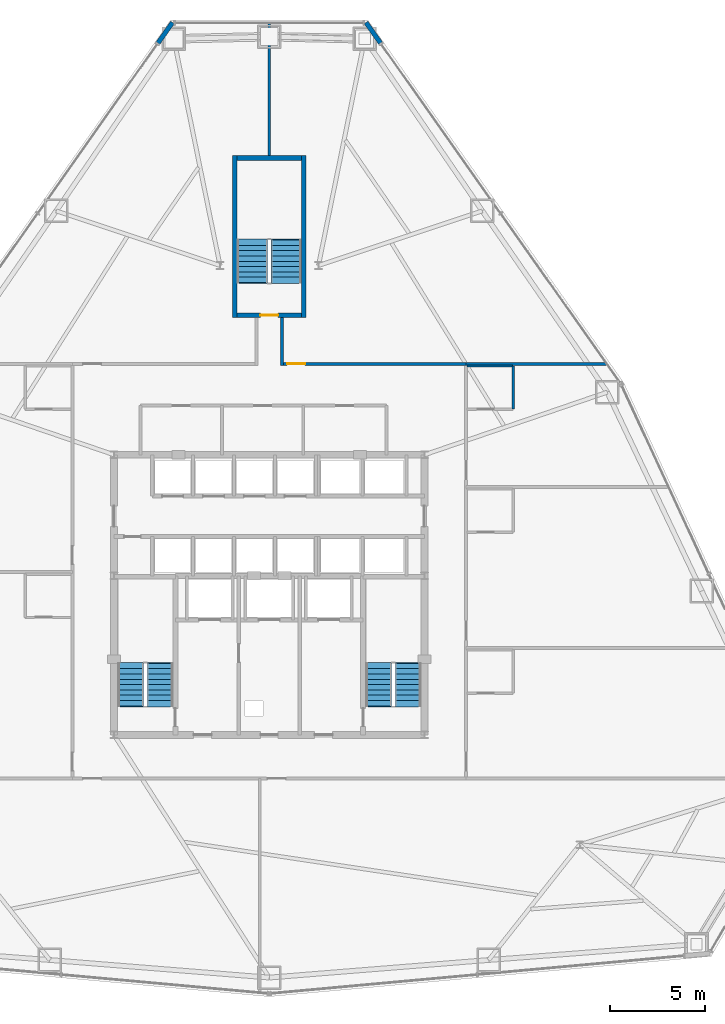
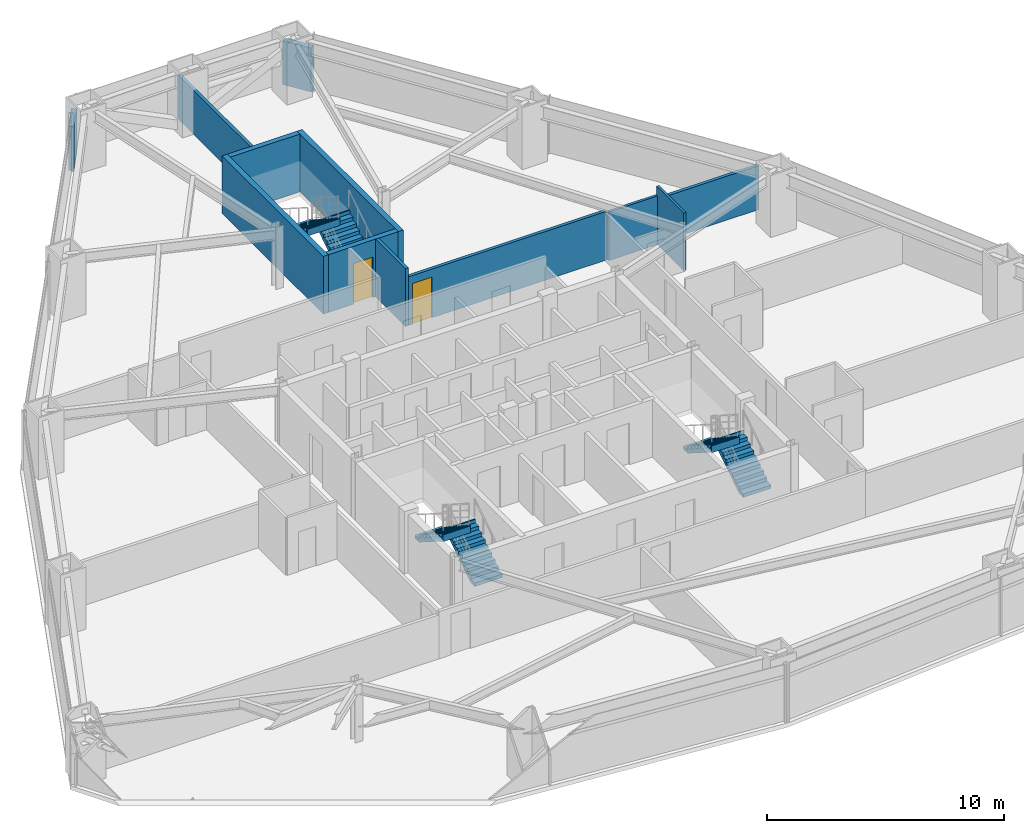
# One storey, part 11 of 12: 12 walls, 6 stair flights, 2 doors, 2 openings, 3 elements without a shape of their own.
"""IFC4 building model written with IfcOpenShell, lengths in metres."""

from ifc_helpers import new_model, si_unit, direction, frame, frame_2d, origin, place, context, subcontext, project, spatial, polyline, rectangle, outline, extrude, material, layer, layer_set, type_object, element, fill, aggregate, save


model = new_model("IFC4")

# Units and contexts
model_context = context("Model", 3, precision=1e-05, world=origin(), true_north=direction((0.0, 1.0)))
body_context = subcontext(model_context, "Body", "Model", "MODEL_VIEW")
ifc_project = project(units=[si_unit("LENGTHUNIT", "METRE"), si_unit("AREAUNIT", "SQUARE_METRE"), si_unit("VOLUMEUNIT", "CUBIC_METRE"), si_unit("PLANEANGLEUNIT", "RADIAN"), si_unit("MASSUNIT", "GRAM", prefix="KILO")], contexts=[model_context])

# Site, building, storey
site_placement = place(None, origin())
site = spatial("IfcSite", under=ifc_project, at=site_placement, CompositionType="ELEMENT")
building_placement = place(site_placement, origin())
building = spatial("IfcBuilding", under=site, at=building_placement, Name="Varakhsha Concourse Tower", CompositionType="ELEMENT")
storey_placement = place(building_placement, frame((0.0, 0.0, 36.800048828125)))
storey = spatial("IfcBuildingStorey", under=building, at=storey_placement, Name="L09", CompositionType="ELEMENT", Elevation=36.800048828125)

# Walls
ifc_material_1 = material(Name="Concrete fc 45 MPa", Category="concrete")
ifc_layer_1 = layer(ifc_material_1, 0.239990234375, Name="WL-EXT-CRN-240")
ifc_layer_set_1 = layer_set([ifc_layer_1], Name="Concrete fc 45 MPa")
wall_type_1 = type_object("IfcWallType", Name="WL-EXT-CRN-240", PredefinedType="SHEAR", material=ifc_layer_set_1)
for number, where, z_axis, x_axis, name in (
    (1, (34.886962890625, 54.03466796875, 0.0), (0.0, 0.0, 1.0), (-0.576510403346, -0.817089808304, 0.0), "L09 Wind-Corner Shoulder Wall F2"),
    (2, (45.880615234375, 52.94677734375, 0.0), (0.0, 0.0, 1.0), (-0.576510403346, 0.817089808304, 0.0), "L09 Wind-Corner Shoulder Wall F9"),
):
    element("IfcWall", number, at=place(storey_placement, frame(where, z_axis=z_axis, x_axis=x_axis)), inside=storey, type_object=wall_type_1, Name=name, PredefinedType="SHEAR", context=body_context, shape_type="SweptSolid", body=[
        extrude(rectangle(XDim=1.33154296875, YDim=0.239990234375, at=frame_2d((0.665771484375, 0.0))), origin(), (0.0, 0.0, 1.0), 2.262939453125),
    ])
ifc_material_2 = material(Name="Acoustic Gypsum Board Partition Assembly", Category="gypsum")
ifc_layer_2 = layer(ifc_material_2, 0.1201171875, Name="WL-PART-120")
ifc_layer_set_2 = layer_set([ifc_layer_2], Name="Acoustic Gypsum Board Partition Assembly")
wall_type_2 = type_object("IfcWallType", Name="WL-PART-120", PredefinedType="PARTITIONING", material=ifc_layer_set_2)
wall_1_placement = place(storey_placement, frame((52.889892578125, 33.610107421875, 0.0), z_axis=(0.0, 0.0, 1.0), x_axis=(0.0, 1.0, 0.0)))
element("IfcWall", 3, at=wall_1_placement, inside=storey, type_object=wall_type_2, Name="L09 Wall ENSW-E-L09-H07", PredefinedType="PARTITIONING", context=body_context, shape_type="SweptSolid", body=[
    extrude(rectangle(XDim=2.27978515625, YDim=0.1201171875, at=frame_2d((1.139892578125, 0.0))), origin(), (0.0, 0.0, 1.0), 2.97998046875),
])
wall_2_placement = place(storey_placement, frame((50.4599609375, 35.889892578125, 0.0), z_axis=(0.0, 0.0, 1.0), x_axis=(1.0, 0.0, 0.0)))
element("IfcWall", 4, at=wall_2_placement, inside=storey, type_object=wall_type_2, Name="L09 Wall ENSW-N-L09-H07", PredefinedType="PARTITIONING", context=body_context, shape_type="SweptSolid", body=[
    extrude(rectangle(XDim=2.429931640625, YDim=0.1201171875, at=frame_2d((1.21484375, 0.0))), origin(), (0.0, 0.0, 1.0), 2.512939453125),
])

# Wall, opening, door
ifc_material_3 = material(Name="Fire-Rated Type X Gypsum Partition Assembly", Category="gypsum")
ifc_layer_3 = layer(ifc_material_3, 0.14990234375, Name="WL-PART-150")
ifc_layer_set_3 = layer_set([ifc_layer_3], Name="Fire-Rated Type X Gypsum Partition Assembly")
wall_type_3 = type_object("IfcWallType", Name="WL-PART-150", PredefinedType="PARTITIONING", material=ifc_layer_set_3)
wall_3_placement = place(storey_placement, frame((40.75, 36.0, 0.0), z_axis=(0.0, 0.0, 1.0), x_axis=(1.0, 0.0, 0.0)))
wall_3 = element("IfcWall", 5, at=wall_3_placement, inside=storey, type_object=wall_type_3, Name="L09 Wall CRW-N-L09-B", PredefinedType="PARTITIONING", context=body_context, shape_type="SweptSolid", body=[
    extrude(rectangle(XDim=9.64990234375, YDim=0.14990234375, at=frame_2d((4.824951171875, 0.0))), origin(), (0.0, 0.0, 1.0), 2.512939453125),
])
opening_1_placement = place(wall_3_placement, frame((0.199951171875, 0.0, 0.0)))
opening_1 = element("IfcOpeningElement", 6, at=opening_1_placement, cuts=wall_3, Name="Opening DF-05", PredefinedType="OPENING", context=body_context, shape_type="SweptSolid", body=[
    extrude(rectangle(XDim=0.949951171875, YDim=2.10009765625, at=frame_2d((0.47509765625, 1.050048828125))), frame((0.0, 0.0849609375, 0.0), z_axis=(0.0, -1.0, 0.0), x_axis=(1.0, 0.0, 0.0)), (0.0, 0.0, 1.0), 0.169921875),
])
ifc_material_4 = material(Name="Hollow Galvanised Steel Fire Door Assembly", Category="steel")
door_type_1 = type_object("IfcDoorType", Name="DR-FD60-950", OperationType="NOTDEFINED", PredefinedType="DOOR", material=ifc_material_4)
door_1_placement = place(opening_1_placement, origin())
door_1 = element("IfcDoor", 7, at=door_1_placement, inside=storey, type_object=door_type_1, Name="L09 Hotel Executive Salon L09-H09 Door", OperationType="SINGLE_SWING_LEFT", OverallHeight=2.10009765625, OverallWidth=0.949951171875, PredefinedType="DOOR", context=body_context, shape_type="SweptSolid", body=[
    extrude(rectangle(XDim=0.949951171875, YDim=2.10009765625, at=frame_2d((0.47509765625, 1.050048828125))), frame((0.0, 0.02490234375, 0.0), z_axis=(0.0, -1.0, 0.0), x_axis=(1.0, 0.0, 0.0)), (0.0, 0.0, 1.0), 0.050048828125),
])
fill(opening_1, door_1)

# Walls
wall_4_placement = place(storey_placement, frame((50.39990234375, 36.0, 0.0), z_axis=(0.0, 0.0, 1.0), x_axis=(1.0, 0.0, 0.0)))
element("IfcWall", 8, at=wall_4_placement, inside=storey, type_object=wall_type_3, Name="L09 Wall HDIV-EBN-L09", PredefinedType="PARTITIONING", context=body_context, shape_type="SweptSolid", body=[
    extrude(rectangle(XDim=7.434326171875, YDim=0.14990234375, at=frame_2d((3.71728515625, 0.0))), origin(), (0.0, 0.0, 1.0), 2.26806640625),
])
wall_5_placement = place(storey_placement, frame((40.0, 47.0, 0.0), z_axis=(0.0, 0.0, 1.0), x_axis=(0.0, 1.0, 0.0)))
element("IfcWall", 9, at=wall_5_placement, inside=storey, type_object=wall_type_3, Name="L09 Wall HDIV-N1-L09", PredefinedType="PARTITIONING", context=body_context, shape_type="SweptSolid", body=[
    extrude(rectangle(XDim=7.003662109375, YDim=0.14990234375, at=frame_2d((3.501953125, 0.0))), origin(), (0.0, 0.0, 1.0), 2.26806640625),
])
wall_6_placement = place(storey_placement, frame((40.675048828125, 35.925048828125, 0.0), z_axis=(0.0, 0.0, 1.0), x_axis=(0.0, 1.0, 0.0)))
element("IfcWall", 10, at=wall_6_placement, inside=storey, type_object=wall_type_3, Name="L09 Wall STUB-E-L09", PredefinedType="PARTITIONING", context=body_context, shape_type="SweptSolid", body=[
    extrude(rectangle(XDim=2.52490234375, YDim=0.14990234375, at=frame_2d((1.262451171875, 0.0))), origin(), (0.0, 0.0, 1.0), 2.97998046875),
])
ifc_layer_4 = layer(ifc_material_1, 0.25, Name="WL-STAIR-250")
ifc_layer_set_4 = layer_set([ifc_layer_4], Name="Concrete fc 45 MPa")
wall_type_4 = type_object("IfcWallType", Name="WL-STAIR-250", PredefinedType="SHEAR", material=ifc_layer_set_4)
for number, where, z_axis, x_axis, name in (
    (11, (38.175048828125, 38.449951171875, 0.0), (0.0, 0.0, 1.0), (0.0, 1.0, 0.0), "L09 Wall SWALL-ST5-W-L09"),
    (12, (41.824951171875, 38.449951171875, 0.0), (0.0, 0.0, 1.0), (0.0, 1.0, 0.0), "L09 Wall SWALL-ST5-E-L09"),
):
    element("IfcWall", number, at=place(storey_placement, frame(where, z_axis=z_axis, x_axis=x_axis)), inside=storey, type_object=wall_type_4, Name=name, PredefinedType="SHEAR", context=body_context, shape_type="SweptSolid", body=[
        extrude(rectangle(XDim=8.550048828125, YDim=0.25, at=frame_2d((4.27490234375, 0.0))), origin(), (0.0, 0.0, 1.0), 2.97998046875),
    ])

# Wall, opening, door
wall_7_placement = place(storey_placement, frame((38.300048828125, 38.574951171875, 0.0), z_axis=(0.0, 0.0, 1.0), x_axis=(1.0, 0.0, 0.0)))
wall_7 = element("IfcWall", 13, at=wall_7_placement, inside=storey, type_object=wall_type_4, Name="L09 Wall SWALL-ST5-S-L09", PredefinedType="SHEAR", context=body_context, shape_type="SweptSolid", body=[
    extrude(rectangle(XDim=3.39990234375, YDim=0.25, at=frame_2d((1.699951171875, 0.0))), origin(), (0.0, 0.0, 1.0), 2.97998046875),
])
opening_2_placement = place(wall_7_placement, frame((1.22509765625, 0.0, 0.0)))
opening_2 = element("IfcOpeningElement", 14, at=opening_2_placement, cuts=wall_7, Name="Opening DF-03", PredefinedType="OPENING", context=body_context, shape_type="SweptSolid", body=[
    extrude(rectangle(XDim=0.949951171875, YDim=2.10009765625, at=frame_2d((0.47509765625, 1.050048828125))), frame((0.0, 0.135009765625, 0.0), z_axis=(0.0, -1.0, 0.0), x_axis=(1.0, 0.0, 0.0)), (0.0, 0.0, 1.0), 0.27001953125),
])
door_type_2 = type_object("IfcDoorType", Name="DR-FD90-950", OperationType="NOTDEFINED", PredefinedType="DOOR", material=ifc_material_4)
door_2_placement = place(opening_2_placement, origin())
door_2 = element("IfcDoor", 15, at=door_2_placement, inside=storey, type_object=door_type_2, Name="L09 Stair ST5 Fire Door", OperationType="SINGLE_SWING_RIGHT", OverallHeight=2.10009765625, OverallWidth=0.949951171875, PredefinedType="DOOR", context=body_context, shape_type="SweptSolid", body=[
    extrude(rectangle(XDim=0.949951171875, YDim=2.10009765625, at=frame_2d((0.47509765625, 1.050048828125))), frame((0.0, 0.02490234375, 0.0), z_axis=(0.0, -1.0, 0.0), x_axis=(1.0, 0.0, 0.0)), (0.0, 0.0, 1.0), 0.050048828125),
])
fill(opening_2, door_2)

# Wall
wall_8_placement = place(storey_placement, frame((38.300048828125, 46.875, 0.0), z_axis=(0.0, 0.0, 1.0), x_axis=(1.0, 0.0, 0.0)))
element("IfcWall", 16, at=wall_8_placement, inside=storey, type_object=wall_type_4, Name="L09 Wall SWALL-ST5-N-L09", PredefinedType="SHEAR", context=body_context, shape_type="SweptSolid", body=[
    extrude(rectangle(XDim=3.39990234375, YDim=0.25, at=frame_2d((1.699951171875, 0.0))), origin(), (0.0, 0.0, 1.0), 2.97998046875),
])

# Stair, stair flights
stair_type_1 = type_object("IfcStairType", Name="ST-DOGLEG-1360", PredefinedType="HALF_TURN_STAIR", material=ifc_material_1)
stair_1_placement = place(storey_placement, origin())
stair_1 = element("IfcStair", 17, at=stair_1_placement, inside=storey, type_object=stair_type_1, Name="L09 Protected Exit Stair ST1", PredefinedType="HALF_TURN_STAIR")
stair_flight_type_1 = type_object("IfcStairFlightType", Name="STF-1360-R1778", PredefinedType="STRAIGHT", material=ifc_material_1)
stair_flight_1_placement = place(storey_placement, frame((34.239990234375, 17.93994140625, 0.0), z_axis=(0.0, 0.0, 1.0), x_axis=(0.0, 1.0, 0.0)))
stair_flight_1 = element("IfcStairFlight", 18, at=stair_flight_1_placement, type_object=stair_flight_type_1, Name="ST1 flight 1", NumberOfRisers=9, NumberOfTreads=8, PredefinedType="STRAIGHT", RiserHeight=0.177777778, TreadLength=0.28, context=body_context, shape_type="SweptSolid", body=[
    extrude(outline(polyline([(-0.06005859375, 0.0), (-0.06005859375, 0.177734375), (0.0, 0.177734375), (0.280029296875, 0.177734375), (0.280029296875, 0.35546875), (0.56005859375, 0.35546875), (0.56005859375, 0.533447265625), (0.840087890625, 0.533447265625), (0.840087890625, 0.711181640625), (1.1201171875, 0.711181640625), (1.1201171875, 0.888916015625), (1.39990234375, 0.888916015625), (1.39990234375, 1.066650390625), (1.679931640625, 1.066650390625), (1.679931640625, 1.244384765625), (1.9599609375, 1.244384765625), (1.9599609375, 1.422119140625), (2.239990234375, 1.422119140625), (2.239990234375, 1.60009765625), (2.300048828125, 1.60009765625), (2.300048828125, 1.24462890625), (2.239990234375, 1.24462890625), (0.27978515625, 0.0), (-0.06005859375, 0.0)])), frame((0.0, 0.68017578125, 0.0), z_axis=(0.0, -1.0, 0.0), x_axis=(1.0, 0.0, 0.0)), (0.0, 0.0, 1.0), 1.360107421875),
])
stair_flight_2_placement = place(storey_placement, frame((32.679931640625, 20.179931640625, 1.599853515625), z_axis=(0.0, 0.0, 1.0), x_axis=(0.0, -1.0, 0.0)))
stair_flight_2 = element("IfcStairFlight", 19, at=stair_flight_2_placement, type_object=stair_flight_type_1, Name="ST1 flight 2", NumberOfRisers=9, NumberOfTreads=8, PredefinedType="STRAIGHT", RiserHeight=0.177777778, TreadLength=0.28, context=body_context, shape_type="SweptSolid", body=[
    extrude(outline(polyline([(-0.06005859375, 0.0), (-0.06005859375, 0.177734375), (0.0, 0.177734375), (0.280029296875, 0.177734375), (0.280029296875, 0.35546875), (0.56005859375, 0.35546875), (0.56005859375, 0.533447265625), (0.840087890625, 0.533447265625), (0.840087890625, 0.711181640625), (1.1201171875, 0.711181640625), (1.1201171875, 0.888916015625), (1.39990234375, 0.888916015625), (1.39990234375, 1.066650390625), (1.679931640625, 1.066650390625), (1.679931640625, 1.244384765625), (1.9599609375, 1.244384765625), (1.9599609375, 1.422119140625), (2.239990234375, 1.422119140625), (2.239990234375, 1.60009765625), (2.300048828125, 1.60009765625), (2.300048828125, 1.24462890625), (2.239990234375, 1.24462890625), (0.27978515625, 0.0), (-0.06005859375, 0.0)])), frame((0.0, 0.68017578125, 0.0), z_axis=(0.0, -1.0, 0.0), x_axis=(1.0, 0.0, 0.0)), (0.0, 0.0, 1.0), 1.360107421875),
])
aggregate(stair_1, [stair_flight_1, stair_flight_2])

stair_2_placement = place(storey_placement, origin())
stair_2 = element("IfcStair", 20, at=stair_2_placement, inside=storey, type_object=stair_type_1, Name="L09 Protected Exit Stair ST2", PredefinedType="HALF_TURN_STAIR")
stair_flight_3_placement = place(storey_placement, frame((47.340087890625, 17.93994140625, 0.0), z_axis=(0.0, 0.0, 1.0), x_axis=(0.0, 1.0, 0.0)))
stair_flight_3 = element("IfcStairFlight", 21, at=stair_flight_3_placement, type_object=stair_flight_type_1, Name="ST2 flight 1", NumberOfRisers=9, NumberOfTreads=8, PredefinedType="STRAIGHT", RiserHeight=0.177777778, TreadLength=0.28, context=body_context, shape_type="SweptSolid", body=[
    extrude(outline(polyline([(-0.06005859375, 0.0), (-0.06005859375, 0.177734375), (0.0, 0.177734375), (0.280029296875, 0.177734375), (0.280029296875, 0.35546875), (0.56005859375, 0.35546875), (0.56005859375, 0.533447265625), (0.840087890625, 0.533447265625), (0.840087890625, 0.711181640625), (1.1201171875, 0.711181640625), (1.1201171875, 0.888916015625), (1.39990234375, 0.888916015625), (1.39990234375, 1.066650390625), (1.679931640625, 1.066650390625), (1.679931640625, 1.244384765625), (1.9599609375, 1.244384765625), (1.9599609375, 1.422119140625), (2.239990234375, 1.422119140625), (2.239990234375, 1.60009765625), (2.300048828125, 1.60009765625), (2.300048828125, 1.24462890625), (2.239990234375, 1.24462890625), (0.27978515625, 0.0), (-0.06005859375, 0.0)])), frame((0.0, 0.68017578125, 0.0), z_axis=(0.0, -1.0, 0.0), x_axis=(1.0, 0.0, 0.0)), (0.0, 0.0, 1.0), 1.360107421875),
])
stair_flight_4_placement = place(storey_placement, frame((45.780029296875, 20.179931640625, 1.599853515625), z_axis=(0.0, 0.0, 1.0), x_axis=(0.0, -1.0, 0.0)))
stair_flight_4 = element("IfcStairFlight", 22, at=stair_flight_4_placement, type_object=stair_flight_type_1, Name="ST2 flight 2", NumberOfRisers=9, NumberOfTreads=8, PredefinedType="STRAIGHT", RiserHeight=0.177777778, TreadLength=0.28, context=body_context, shape_type="SweptSolid", body=[
    extrude(outline(polyline([(-0.06005859375, 0.0), (-0.06005859375, 0.177734375), (0.0, 0.177734375), (0.280029296875, 0.177734375), (0.280029296875, 0.35546875), (0.56005859375, 0.35546875), (0.56005859375, 0.533447265625), (0.840087890625, 0.533447265625), (0.840087890625, 0.711181640625), (1.1201171875, 0.711181640625), (1.1201171875, 0.888916015625), (1.39990234375, 0.888916015625), (1.39990234375, 1.066650390625), (1.679931640625, 1.066650390625), (1.679931640625, 1.244384765625), (1.9599609375, 1.244384765625), (1.9599609375, 1.422119140625), (2.239990234375, 1.422119140625), (2.239990234375, 1.60009765625), (2.300048828125, 1.60009765625), (2.300048828125, 1.24462890625), (2.239990234375, 1.24462890625), (0.27978515625, 0.0), (-0.06005859375, 0.0)])), frame((0.0, 0.68017578125, 0.0), z_axis=(0.0, -1.0, 0.0), x_axis=(1.0, 0.0, 0.0)), (0.0, 0.0, 1.0), 1.360107421875),
])
aggregate(stair_2, [stair_flight_3, stair_flight_4])

stair_type_2 = type_object("IfcStairType", Name="ST-DOGLEG-1600", PredefinedType="HALF_TURN_STAIR", material=ifc_material_1)
stair_3_placement = place(storey_placement, origin())
stair_3 = element("IfcStair", 23, at=stair_3_placement, inside=storey, type_object=stair_type_2, Name="L09 Protected Exit Stair ST5", PredefinedType="HALF_TURN_STAIR")
stair_flight_type_2 = type_object("IfcStairFlightType", Name="STF-1600-R1778", PredefinedType="STRAIGHT", material=ifc_material_1)
stair_flight_5_placement = place(storey_placement, frame((40.89990234375, 40.300048828125, 0.0), z_axis=(0.0, 0.0, 1.0), x_axis=(0.0, 1.0, 0.0)))
stair_flight_5 = element("IfcStairFlight", 24, at=stair_flight_5_placement, type_object=stair_flight_type_2, Name="ST5 flight 1", NumberOfRisers=9, NumberOfTreads=8, PredefinedType="STRAIGHT", RiserHeight=0.177777778, TreadLength=0.28, context=body_context, shape_type="SweptSolid", body=[
    extrude(outline(polyline([(-0.06005859375, 0.0), (-0.06005859375, 0.177734375), (0.0, 0.177734375), (0.280029296875, 0.177734375), (0.280029296875, 0.35546875), (0.56005859375, 0.35546875), (0.56005859375, 0.533447265625), (0.840087890625, 0.533447265625), (0.840087890625, 0.711181640625), (1.1201171875, 0.711181640625), (1.1201171875, 0.888916015625), (1.39990234375, 0.888916015625), (1.39990234375, 1.066650390625), (1.679931640625, 1.066650390625), (1.679931640625, 1.244384765625), (1.9599609375, 1.244384765625), (1.9599609375, 1.422119140625), (2.239990234375, 1.422119140625), (2.239990234375, 1.60009765625), (2.300048828125, 1.60009765625), (2.300048828125, 1.24462890625), (2.239990234375, 1.24462890625), (0.27978515625, 0.0), (-0.06005859375, 0.0)])), frame((0.0, 0.800048828125, 0.0), z_axis=(0.0, -1.0, 0.0), x_axis=(1.0, 0.0, 0.0)), (0.0, 0.0, 1.0), 1.60009765625),
])
stair_flight_6_placement = place(storey_placement, frame((39.10009765625, 42.5400390625, 1.599853515625), z_axis=(0.0, 0.0, 1.0), x_axis=(0.0, -1.0, 0.0)))
stair_flight_6 = element("IfcStairFlight", 25, at=stair_flight_6_placement, type_object=stair_flight_type_2, Name="ST5 flight 2", NumberOfRisers=9, NumberOfTreads=8, PredefinedType="STRAIGHT", RiserHeight=0.177777778, TreadLength=0.28, context=body_context, shape_type="SweptSolid", body=[
    extrude(outline(polyline([(-0.06005859375, 0.0), (-0.06005859375, 0.177734375), (0.0, 0.177734375), (0.280029296875, 0.177734375), (0.280029296875, 0.35546875), (0.56005859375, 0.35546875), (0.56005859375, 0.533447265625), (0.840087890625, 0.533447265625), (0.840087890625, 0.711181640625), (1.1201171875, 0.711181640625), (1.1201171875, 0.888916015625), (1.39990234375, 0.888916015625), (1.39990234375, 1.066650390625), (1.679931640625, 1.066650390625), (1.679931640625, 1.244384765625), (1.9599609375, 1.244384765625), (1.9599609375, 1.422119140625), (2.239990234375, 1.422119140625), (2.239990234375, 1.60009765625), (2.300048828125, 1.60009765625), (2.300048828125, 1.24462890625), (2.239990234375, 1.24462890625), (0.27978515625, 0.0), (-0.06005859375, 0.0)])), frame((0.0, 0.800048828125, 0.0), z_axis=(0.0, -1.0, 0.0), x_axis=(1.0, 0.0, 0.0)), (0.0, 0.0, 1.0), 1.60009765625),
])
aggregate(stair_3, [stair_flight_5, stair_flight_6])

save(model, "model.ifc")
